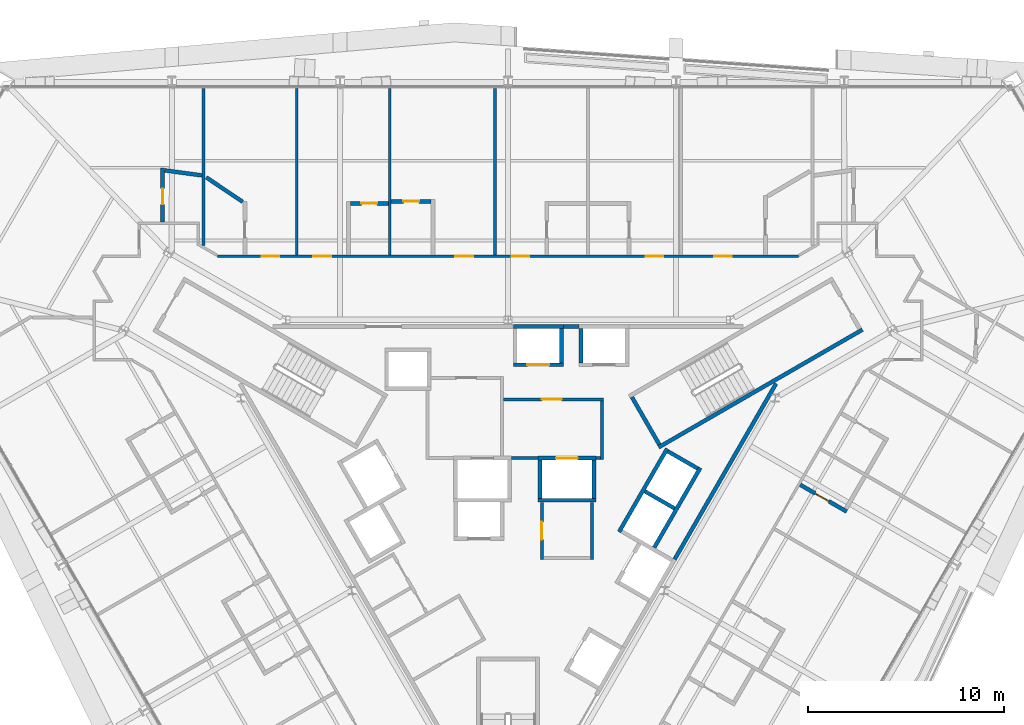
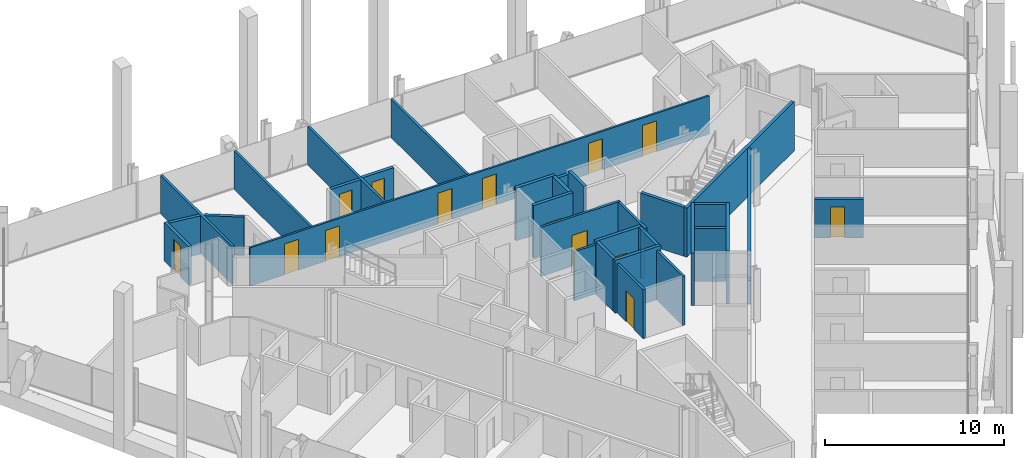
# One storey, part 16 of 21: 33 walls, 14 doors, 14 openings.
"""IFC4 building model written with IfcOpenShell, lengths in metres."""

from ifc_helpers import new_model, si_unit, direction, frame, frame_2d, origin, place, context, subcontext, project, spatial, rectangle, extrude, material, layer, layer_set, type_object, element, fill, save


model = new_model("IFC4")

# Units and contexts
model_context = context("Model", 3, precision=1e-05, world=origin(), true_north=direction((0.0, 1.0)))
body_context = subcontext(model_context, "Body", "Model", "MODEL_VIEW")
ifc_project = project(units=[si_unit("LENGTHUNIT", "METRE"), si_unit("AREAUNIT", "SQUARE_METRE"), si_unit("VOLUMEUNIT", "CUBIC_METRE"), si_unit("PLANEANGLEUNIT", "RADIAN"), si_unit("MASSUNIT", "GRAM", prefix="KILO")], contexts=[model_context])

# Site, building, storey
site_placement = place(None, origin())
site = spatial("IfcSite", under=ifc_project, at=site_placement, CompositionType="ELEMENT")
building_placement = place(site_placement, origin())
building = spatial("IfcBuilding", under=site, at=building_placement, Name="Verrane Prism Tower", CompositionType="ELEMENT")
storey_placement = place(building_placement, frame((0.0, 0.0, 65.60009765625)))
storey = spatial("IfcBuildingStorey", under=building, at=storey_placement, Name="L14", CompositionType="ELEMENT", Elevation=65.60009765625)

# Walls
ifc_material_1 = material(Name="Gypsum board partition", Category="other")
ifc_layer_1 = layer(ifc_material_1, 0.199951171875)
ifc_layer_set_1 = layer_set([ifc_layer_1], Name="CW-200 core boundary wall 2 h")
wall_type_1 = type_object("IfcWallType", Name="CW-200 core boundary wall 2 h", PredefinedType="PARTITIONING", material=ifc_layer_set_1)
wall_1_placement = place(storey_placement, frame((2.81689453125, 8.860107421875, 0.0), z_axis=(0.0, 0.0, 1.0), x_axis=(1.0, 0.0, 0.0)))
element("IfcWall", 1, at=wall_1_placement, inside=storey, type_object=wall_type_1, Name="Core boundary wall CW3-004", PredefinedType="PARTITIONING", context=body_context, shape_type="SweptSolid", body=[
    extrude(rectangle(XDim=0.80615234375, YDim=0.199951171875, at=frame_2d((0.403076171875, 0.0))), origin(), (0.0, 0.0, 1.0), 3.349853515625),
])
wall_2_placement = place(storey_placement, frame((8.491943359375, -3.011962890625, 0.0), z_axis=(0.0, 0.0, 1.0), x_axis=(0.499972957231, 0.866041016371, 0.0)))
element("IfcWall", 2, at=wall_2_placement, inside=storey, type_object=wall_type_1, Name="Core boundary wall CW3-007", PredefinedType="PARTITIONING", context=body_context, shape_type="SweptSolid", body=[
    extrude(rectangle(XDim=10.3486328125, YDim=0.199951171875, at=frame_2d((5.17431640625, 0.0))), origin(), (0.0, 0.0, 1.0), 3.349853515625),
])
ifc_material_2 = material(Name="Concrete C40/50", Category="concrete")
ifc_layer_2 = layer(ifc_material_2, 0.199951171875)
ifc_layer_set_2 = layer_set([ifc_layer_2], Name="CW-200 stair core wall concrete C40/50 3 h")
wall_type_2 = type_object("IfcWallType", Name="CW-200 stair core wall concrete C40/50 3 h", PredefinedType="PARTITIONING", material=ifc_layer_set_2)
wall_3_placement = place(storey_placement, frame((7.67822265625, 2.700927734375, 0.0), z_axis=(0.0, 0.0, 1.0), x_axis=(0.866026010844, 0.49999894854, 0.0)))
element("IfcWall", 3, at=wall_3_placement, inside=storey, type_object=wall_type_2, Name="Stair 1 enclosure wall", PredefinedType="PARTITIONING", context=body_context, shape_type="SweptSolid", body=[
    extrude(rectangle(XDim=12.0, YDim=0.199951171875, at=frame_2d((6.0, 0.0))), origin(), (0.0, 0.0, 1.0), 3.349853515625),
])
wall_4_placement = place(storey_placement, frame((7.71484375, 2.837646484375, 0.0), z_axis=(0.0, 0.0, 1.0), x_axis=(-0.500049511043, 0.865996816683, 0.0)))
element("IfcWall", 4, at=wall_4_placement, inside=storey, type_object=wall_type_2, Name="Stair 1 enclosure wall", PredefinedType="PARTITIONING", context=body_context, shape_type="SweptSolid", body=[
    extrude(rectangle(XDim=2.800048828125, YDim=0.199951171875, at=frame_2d((1.39990234375, 0.0))), origin(), (0.0, 0.0, 1.0), 3.349853515625),
])
ifc_material_3 = material(Name="Gypsum board shaft wall assembly", Category="other")
ifc_layer_3 = layer(ifc_material_3, 0.199951171875)
ifc_layer_set_3 = layer_set([ifc_layer_3], Name="HW-200 lift shaft wall 2 h")
wall_type_3 = type_object("IfcWallType", Name="HW-200 lift shaft wall 2 h", PredefinedType="PARTITIONING", material=ifc_layer_set_3)
wall_5_placement = place(storey_placement, frame((1.52490234375, 0.0, 0.0), z_axis=(0.0, 0.0, 1.0), x_axis=(1.0, 0.0, 0.0)))
element("IfcWall", 5, at=wall_5_placement, inside=storey, type_object=wall_type_3, Name="Lift shaft wall", PredefinedType="PARTITIONING", context=body_context, shape_type="SweptSolid", body=[
    extrude(rectangle(XDim=2.9501953125, YDim=0.199951171875, at=frame_2d((1.47509765625, 0.0))), origin(), (0.0, 0.0, 1.0), 3.599853515625),
])

# Wall, opening, door
wall_6_placement = place(storey_placement, frame((1.52490234375, 2.14990234375, 0.0), z_axis=(0.0, 0.0, 1.0), x_axis=(1.0, 0.0, 0.0)))
wall_6 = element("IfcWall", 6, at=wall_6_placement, inside=storey, type_object=wall_type_3, Name="Lift shaft wall", PredefinedType="PARTITIONING", context=body_context, shape_type="SweptSolid", body=[
    extrude(rectangle(XDim=2.9501953125, YDim=0.199951171875, at=frame_2d((1.47509765625, 0.0))), origin(), (0.0, 0.0, 1.0), 3.599853515625),
])
opening_1_placement = place(wall_6_placement, frame((0.925048828125, 0.0, 0.0)))
opening_1 = element("IfcOpeningElement", 7, at=opening_1_placement, cuts=wall_6, Name="Opening D14509", PredefinedType="OPENING", context=body_context, shape_type="SweptSolid", body=[
    extrude(rectangle(XDim=1.10009765625, YDim=2.10009765625, at=frame_2d((0.550048828125, 1.050048828125))), frame((0.0, 0.10986328125, 0.0), z_axis=(0.0, -1.0, 0.0), x_axis=(1.0, 0.0, 0.0)), (0.0, 0.0, 1.0), 0.219970703125),
])
ifc_material_4 = material(Name="Stainless steel sliding landing door", Category="steel")
door_type_1 = type_object("IfcDoorType", Name="LD-1100x2100 lift landing door FD90 sliding", OperationType="NOTDEFINED", PredefinedType="DOOR", material=ifc_material_4)
door_1_placement = place(opening_1_placement, origin())
door_1 = element("IfcDoor", 8, at=door_1_placement, inside=storey, type_object=door_type_1, Name="Fire service lift 2 landing door", OperationType="SLIDING_TO_RIGHT", OverallHeight=2.10009765625, OverallWidth=1.10009765625, PredefinedType="DOOR", context=body_context, shape_type="SweptSolid", body=[
    extrude(rectangle(XDim=1.10009765625, YDim=2.10009765625, at=frame_2d((0.550048828125, 1.050048828125))), frame((0.0, 0.02490234375, 0.0), z_axis=(0.0, -1.0, 0.0), x_axis=(1.0, 0.0, 0.0)), (0.0, 0.0, 1.0), 0.050048828125),
])
fill(opening_1, door_1)

wall_7_placement = place(storey_placement, frame((0.264892578125, 6.909912109375, 0.0), z_axis=(0.0, 0.0, 1.0), x_axis=(1.0, 0.0, 0.0)))
wall_7 = element("IfcWall", 9, at=wall_7_placement, inside=storey, type_object=wall_type_3, Name="Lift shaft wall", PredefinedType="PARTITIONING", context=body_context, shape_type="SweptSolid", body=[
    extrude(rectangle(XDim=2.550048828125, YDim=0.199951171875, at=frame_2d((1.27490234375, 0.0))), origin(), (0.0, 0.0, 1.0), 3.599853515625),
])
opening_2_placement = place(wall_7_placement, frame((0.72509765625, 0.0, 0.0)))
opening_2 = element("IfcOpeningElement", 10, at=opening_2_placement, cuts=wall_7, Name="Opening D14503", PredefinedType="OPENING", context=body_context, shape_type="SweptSolid", body=[
    extrude(rectangle(XDim=1.10009765625, YDim=2.10009765625, at=frame_2d((0.550048828125, 1.050048828125))), frame((0.0, 0.10986328125, 0.0), z_axis=(0.0, -1.0, 0.0), x_axis=(1.0, 0.0, 0.0)), (0.0, 0.0, 1.0), 0.219970703125),
])
door_2_placement = place(opening_2_placement, origin())
door_2 = element("IfcDoor", 11, at=door_2_placement, inside=storey, type_object=door_type_1, Name="Bank A lift 1 landing door", OperationType="SLIDING_TO_LEFT", OverallHeight=2.10009765625, OverallWidth=1.10009765625, PredefinedType="DOOR", context=body_context, shape_type="SweptSolid", body=[
    extrude(rectangle(XDim=1.10009765625, YDim=2.10009765625, at=frame_2d((0.550048828125, 1.050048828125))), frame((0.0, 0.02490234375, 0.0), z_axis=(0.0, -1.0, 0.0), x_axis=(1.0, 0.0, 0.0)), (0.0, 0.0, 1.0), 0.050048828125),
])
fill(opening_2, door_2)

# Walls
wall_8_placement = place(storey_placement, frame((0.264892578125, 8.860107421875, 0.0), z_axis=(0.0, 0.0, 1.0), x_axis=(1.0, 0.0, 0.0)))
element("IfcWall", 12, at=wall_8_placement, inside=storey, type_object=wall_type_3, Name="Lift shaft wall", PredefinedType="PARTITIONING", context=body_context, shape_type="SweptSolid", body=[
    extrude(rectangle(XDim=2.550048828125, YDim=0.199951171875, at=frame_2d((1.27490234375, 0.0))), origin(), (0.0, 0.0, 1.0), 3.599853515625),
])
wall_9_placement = place(storey_placement, frame((7.451171875, -2.4140625, 0.0), z_axis=(0.0, 0.0, 1.0), x_axis=(0.500016218704, 0.866016039709, 0.0)))
element("IfcWall", 13, at=wall_9_placement, inside=storey, type_object=wall_type_3, Name="Lift shaft wall", PredefinedType="PARTITIONING", context=body_context, shape_type="SweptSolid", body=[
    extrude(rectangle(XDim=4.699951171875, YDim=0.199951171875, at=frame_2d((2.35009765625, 0.0))), origin(), (0.0, 0.0, 1.0), 3.599853515625),
])
wall_10_placement = place(storey_placement, frame((5.66259765625, -1.6123046875, 0.0), z_axis=(0.0, 0.0, 1.0), x_axis=(0.49998122708, 0.866036242063, 0.0)))
element("IfcWall", 14, at=wall_10_placement, inside=storey, type_object=wall_type_3, Name="Lift shaft wall", PredefinedType="PARTITIONING", context=body_context, shape_type="SweptSolid", body=[
    extrude(rectangle(XDim=4.900146484375, YDim=0.199951171875, at=frame_2d((2.4501953125, 0.0))), origin(), (0.0, 0.0, 1.0), 3.599853515625),
])
wall_11_placement = place(storey_placement, frame((4.375, 0.10009765625, 0.0), z_axis=(0.0, 0.0, 1.0), x_axis=(0.0, 1.0, 0.0)))
element("IfcWall", 15, at=wall_11_placement, inside=storey, type_object=wall_type_3, Name="Lift shaft wall", PredefinedType="PARTITIONING", context=body_context, shape_type="SweptSolid", body=[
    extrude(rectangle(XDim=1.949951171875, YDim=0.199951171875, at=frame_2d((0.97509765625, 0.0))), origin(), (0.0, 0.0, 1.0), 3.599853515625),
])
for number, where, z_axis, x_axis, name in (
    (16, (3.72509765625, 7.010009765625, 0.0), (0.0, 0.0, 1.0), (0.0, 1.0, 0.0), "Lift shaft wall"),
    (17, (2.715087890625, 7.010009765625, 0.0), (0.0, 0.0, 1.0), (0.0, 1.0, 0.0), "Lift shaft wall"),
):
    element("IfcWall", number, at=place(storey_placement, frame(where, z_axis=z_axis, x_axis=x_axis)), inside=storey, type_object=wall_type_3, Name=name, PredefinedType="PARTITIONING", context=body_context, shape_type="SweptSolid", body=[
        extrude(rectangle(XDim=1.75, YDim=0.199951171875, at=frame_2d((0.875, 0.0))), origin(), (0.0, 0.0, 1.0), 3.599853515625),
    ])
wall_12_placement = place(storey_placement, frame((1.625, 0.10009765625, 0.0), z_axis=(0.0, 0.0, 1.0), x_axis=(0.0, 1.0, 0.0)))
element("IfcWall", 18, at=wall_12_placement, inside=storey, type_object=wall_type_3, Name="Lift shaft wall", PredefinedType="PARTITIONING", context=body_context, shape_type="SweptSolid", body=[
    extrude(rectangle(XDim=1.949951171875, YDim=0.199951171875, at=frame_2d((0.97509765625, 0.0))), origin(), (0.0, 0.0, 1.0), 3.599853515625),
])
wall_13_placement = place(storey_placement, frame((9.66455078125, 1.61962890625, 0.0), z_axis=(0.0, 0.0, 1.0), x_axis=(-0.866002029911, 0.500040482552, 0.0)))
element("IfcWall", 19, at=wall_13_placement, inside=storey, type_object=wall_type_3, Name="Lift shaft wall", PredefinedType="PARTITIONING", context=body_context, shape_type="SweptSolid", body=[
    extrude(rectangle(XDim=1.749755859375, YDim=0.199951171875, at=frame_2d((0.875, 0.0))), origin(), (0.0, 0.0, 1.0), 3.599853515625),
])
wall_14_placement = place(storey_placement, frame((8.48974609375, -0.41552734375, 0.0), z_axis=(0.0, 0.0, 1.0), x_axis=(-0.866036909293, 0.499980071345, 0.0)))
element("IfcWall", 20, at=wall_14_placement, inside=storey, type_object=wall_type_3, Name="Lift shaft wall", PredefinedType="PARTITIONING", context=body_context, shape_type="SweptSolid", body=[
    extrude(rectangle(XDim=1.75, YDim=0.199951171875, at=frame_2d((0.875, 0.0))), origin(), (0.0, 0.0, 1.0), 3.599853515625),
])

# Wall, opening, door
ifc_material_5 = material(Name="Gypsum board partition", Category="other")
ifc_layer_4 = layer(ifc_material_5, 0.14990234375)
ifc_layer_set_4 = layer_set([ifc_layer_4], Name="LF-150 firefighting lobby wall 1 h")
wall_type_4 = type_object("IfcWallType", Name="LF-150 firefighting lobby wall 1 h", PredefinedType="PARTITIONING", material=ifc_layer_set_4)
wall_15_placement = place(storey_placement, frame((-0.2451171875, 5.139892578125, 0.0), z_axis=(0.0, 0.0, 1.0), x_axis=(1.0, 0.0, 0.0)))
wall_15 = element("IfcWall", 21, at=wall_15_placement, inside=storey, type_object=wall_type_4, Name="Firefighting lobby wall LF1-005", PredefinedType="PARTITIONING", context=body_context, shape_type="SweptSolid", body=[
    extrude(rectangle(XDim=5.110107421875, YDim=0.14990234375, at=frame_2d((2.55517578125, 0.0))), origin(), (0.0, 0.0, 1.0), 3.349853515625),
])
opening_3_placement = place(wall_15_placement, frame((1.97509765625, 0.0, 0.0)))
opening_3 = element("IfcOpeningElement", 22, at=opening_3_placement, cuts=wall_15, Name="Opening D14516", PredefinedType="OPENING", context=body_context, shape_type="SweptSolid", body=[
    extrude(rectangle(XDim=1.0, YDim=2.10009765625, at=frame_2d((0.5, 1.050048828125))), frame((0.0, 0.0849609375, 0.0), z_axis=(0.0, -1.0, 0.0), x_axis=(1.0, 0.0, 0.0)), (0.0, 0.0, 1.0), 0.169921875),
])
ifc_material_6 = material(Name="Timber veneered door leaf", Category="wood")
door_type_2 = type_object("IfcDoorType", Name="DR-1000x2100 FD60 single leaf firefighting lobby", OperationType="NOTDEFINED", PredefinedType="DOOR", material=ifc_material_6)
door_3_placement = place(opening_3_placement, origin())
door_3 = element("IfcDoor", 23, at=door_3_placement, inside=storey, type_object=door_type_2, Name="Firefighting lobby door D14516", OperationType="SINGLE_SWING_RIGHT", OverallHeight=2.10009765625, OverallWidth=1.0, PredefinedType="DOOR", context=body_context, shape_type="SweptSolid", body=[
    extrude(rectangle(XDim=1.0, YDim=2.10009765625, at=frame_2d((0.5, 1.050048828125))), frame((0.0, 0.02490234375, 0.0), z_axis=(0.0, -1.0, 0.0), x_axis=(1.0, 0.0, 0.0)), (0.0, 0.0, 1.0), 0.050048828125),
])
fill(opening_3, door_3)

# Walls
wall_16_placement = place(storey_placement, frame((0.1669921875, 2.159912109375, 0.0), z_axis=(0.0, 0.0, 1.0), x_axis=(1.0, 0.0, 0.0)))
element("IfcWall", 24, at=wall_16_placement, inside=storey, type_object=wall_type_4, Name="Firefighting lobby wall LF1-006", PredefinedType="PARTITIONING", context=body_context, shape_type="SweptSolid", body=[
    extrude(rectangle(XDim=1.35595703125, YDim=0.14990234375, at=frame_2d((0.677978515625, 0.0))), origin(), (0.0, 0.0, 1.0), 3.349853515625),
])
wall_17_placement = place(storey_placement, frame((4.47705078125, 2.159912109375, 0.0), z_axis=(0.0, 0.0, 1.0), x_axis=(1.0, 0.0, 0.0)))
element("IfcWall", 25, at=wall_17_placement, inside=storey, type_object=wall_type_4, Name="Firefighting lobby wall LF1-007", PredefinedType="PARTITIONING", context=body_context, shape_type="SweptSolid", body=[
    extrude(rectangle(XDim=0.238037109375, YDim=0.14990234375, at=frame_2d((0.119140625, 0.0))), origin(), (0.0, 0.0, 1.0), 3.349853515625),
])
wall_18_placement = place(storey_placement, frame((4.7900390625, 2.0849609375, 0.0), z_axis=(0.0, 0.0, 1.0), x_axis=(0.0, 1.0, 0.0)))
element("IfcWall", 26, at=wall_18_placement, inside=storey, type_object=wall_type_4, Name="Firefighting lobby wall LF1-008", PredefinedType="PARTITIONING", context=body_context, shape_type="SweptSolid", body=[
    extrude(rectangle(XDim=2.97998046875, YDim=0.14990234375, at=frame_2d((1.489990234375, 0.0))), origin(), (0.0, 0.0, 1.0), 3.349853515625),
])

# Wall, openings, doors
ifc_material_7 = material(Name="Gypsum board partition", Category="other")
ifc_layer_5 = layer(ifc_material_7, 0.125)
ifc_layer_set_5 = layer_set([ifc_layer_5], Name="PW-125 corridor wall 1 h")
wall_type_5 = type_object("IfcWallType", Name="PW-125 corridor wall 1 h", PredefinedType="PARTITIONING", material=ifc_layer_set_5)
wall_19_placement = place(storey_placement, frame((-14.810546875, 12.44091796875, 0.0), z_axis=(0.0, 0.0, 1.0), x_axis=(1.0, 0.0, 0.0)))
wall_19 = element("IfcWall", 27, at=wall_19_placement, inside=storey, type_object=wall_type_5, Name="Corridor wall 027", PredefinedType="PARTITIONING", context=body_context, shape_type="SweptSolid", body=[
    extrude(rectangle(XDim=29.62109375, YDim=0.125, at=frame_2d((14.810546875, 0.0))), origin(), (0.0, 0.0, 1.0), 2.61279296875),
])
opening_4_placement = place(wall_19_placement, frame((25.326416015625, 0.0, 0.0)))
opening_4 = element("IfcOpeningElement", 28, at=opening_4_placement, cuts=wall_19, Name="Opening D14018", PredefinedType="OPENING", context=body_context, shape_type="SweptSolid", body=[
    extrude(rectangle(XDim=0.89990234375, YDim=2.10009765625, at=frame_2d((0.449951171875, 1.050048828125))), frame((0.0, 0.072509765625, 0.0), z_axis=(0.0, -1.0, 0.0), x_axis=(1.0, 0.0, 0.0)), (0.0, 0.0, 1.0), 0.14501953125),
])
opening_5_placement = place(wall_19_placement, frame((21.83349609375, 0.0, 0.0)))
opening_5 = element("IfcOpeningElement", 29, at=opening_5_placement, cuts=wall_19, Name="Opening D14020", PredefinedType="OPENING", context=body_context, shape_type="SweptSolid", body=[
    extrude(rectangle(XDim=0.89990234375, YDim=2.10009765625, at=frame_2d((0.449951171875, 1.050048828125))), frame((0.0, 0.072509765625, 0.0), z_axis=(0.0, -1.0, 0.0), x_axis=(1.0, 0.0, 0.0)), (0.0, 0.0, 1.0), 0.14501953125),
])
opening_6_placement = place(wall_19_placement, frame((14.990478515625, 0.0, 0.0)))
opening_6 = element("IfcOpeningElement", 30, at=opening_6_placement, cuts=wall_19, Name="Opening D14022", PredefinedType="OPENING", context=body_context, shape_type="SweptSolid", body=[
    extrude(rectangle(XDim=0.89990234375, YDim=2.10009765625, at=frame_2d((0.449951171875, 1.050048828125))), frame((0.0, 0.072509765625, 0.0), z_axis=(0.0, -1.0, 0.0), x_axis=(1.0, 0.0, 0.0)), (0.0, 0.0, 1.0), 0.14501953125),
])
opening_7_placement = place(wall_19_placement, frame((12.12841796875, 0.0, 0.0)))
opening_7 = element("IfcOpeningElement", 31, at=opening_7_placement, cuts=wall_19, Name="Opening D14024", PredefinedType="OPENING", context=body_context, shape_type="SweptSolid", body=[
    extrude(rectangle(XDim=0.89990234375, YDim=2.10009765625, at=frame_2d((0.449951171875, 1.050048828125))), frame((0.0, 0.072509765625, 0.0), z_axis=(0.0, -1.0, 0.0), x_axis=(1.0, 0.0, 0.0)), (0.0, 0.0, 1.0), 0.14501953125),
])
opening_8_placement = place(wall_19_placement, frame((4.885498046875, 0.0, 0.0)))
opening_8 = element("IfcOpeningElement", 32, at=opening_8_placement, cuts=wall_19, Name="Opening D14026", PredefinedType="OPENING", context=body_context, shape_type="SweptSolid", body=[
    extrude(rectangle(XDim=0.89990234375, YDim=2.10009765625, at=frame_2d((0.449951171875, 1.050048828125))), frame((0.0, 0.072509765625, 0.0), z_axis=(0.0, -1.0, 0.0), x_axis=(1.0, 0.0, 0.0)), (0.0, 0.0, 1.0), 0.14501953125),
])
opening_9_placement = place(wall_19_placement, frame((2.241455078125, 0.0, 0.0)))
opening_9 = element("IfcOpeningElement", 33, at=opening_9_placement, cuts=wall_19, Name="Opening D14028", PredefinedType="OPENING", context=body_context, shape_type="SweptSolid", body=[
    extrude(rectangle(XDim=0.89990234375, YDim=2.10009765625, at=frame_2d((0.449951171875, 1.050048828125))), frame((0.0, 0.072509765625, 0.0), z_axis=(0.0, -1.0, 0.0), x_axis=(1.0, 0.0, 0.0)), (0.0, 0.0, 1.0), 0.14501953125),
])
ifc_material_8 = material(Name="Timber veneered door leaf", Category="wood")
door_type_3 = type_object("IfcDoorType", Name="DR-900x2100 FD20 single leaf unit", OperationType="NOTDEFINED", PredefinedType="DOOR", material=ifc_material_8)
door_4_placement = place(opening_4_placement, origin())
door_4 = element("IfcDoor", 34, at=door_4_placement, inside=storey, type_object=door_type_3, Name="Junior Suite door", OperationType="SINGLE_SWING_RIGHT", OverallHeight=2.10009765625, OverallWidth=0.89990234375, PredefinedType="DOOR", context=body_context, shape_type="SweptSolid", body=[
    extrude(rectangle(XDim=0.89990234375, YDim=2.10009765625, at=frame_2d((0.449951171875, 1.050048828125))), frame((0.0, 0.02490234375, 0.0), z_axis=(0.0, -1.0, 0.0), x_axis=(1.0, 0.0, 0.0)), (0.0, 0.0, 1.0), 0.050048828125),
])
fill(opening_4, door_4)
door_5_placement = place(opening_5_placement, origin())
door_5 = element("IfcDoor", 35, at=door_5_placement, inside=storey, type_object=door_type_3, Name="Guest Room door", OperationType="SINGLE_SWING_RIGHT", OverallHeight=2.10009765625, OverallWidth=0.89990234375, PredefinedType="DOOR", context=body_context, shape_type="SweptSolid", body=[
    extrude(rectangle(XDim=0.89990234375, YDim=2.10009765625, at=frame_2d((0.449951171875, 1.050048828125))), frame((0.0, 0.02490234375, 0.0), z_axis=(0.0, -1.0, 0.0), x_axis=(1.0, 0.0, 0.0)), (0.0, 0.0, 1.0), 0.050048828125),
])
fill(opening_5, door_5)
door_6_placement = place(opening_6_placement, origin())
door_6 = element("IfcDoor", 36, at=door_6_placement, inside=storey, type_object=door_type_3, Name="Guest Room door", OperationType="SINGLE_SWING_RIGHT", OverallHeight=2.10009765625, OverallWidth=0.89990234375, PredefinedType="DOOR", context=body_context, shape_type="SweptSolid", body=[
    extrude(rectangle(XDim=0.89990234375, YDim=2.10009765625, at=frame_2d((0.449951171875, 1.050048828125))), frame((0.0, 0.02490234375, 0.0), z_axis=(0.0, -1.0, 0.0), x_axis=(1.0, 0.0, 0.0)), (0.0, 0.0, 1.0), 0.050048828125),
])
fill(opening_6, door_6)
door_7_placement = place(opening_7_placement, origin())
door_7 = element("IfcDoor", 37, at=door_7_placement, inside=storey, type_object=door_type_3, Name="Guest Room door", OperationType="SINGLE_SWING_RIGHT", OverallHeight=2.10009765625, OverallWidth=0.89990234375, PredefinedType="DOOR", context=body_context, shape_type="SweptSolid", body=[
    extrude(rectangle(XDim=0.89990234375, YDim=2.10009765625, at=frame_2d((0.449951171875, 1.050048828125))), frame((0.0, 0.02490234375, 0.0), z_axis=(0.0, -1.0, 0.0), x_axis=(1.0, 0.0, 0.0)), (0.0, 0.0, 1.0), 0.050048828125),
])
fill(opening_7, door_7)
door_8_placement = place(opening_8_placement, origin())
door_8 = element("IfcDoor", 38, at=door_8_placement, inside=storey, type_object=door_type_3, Name="Guest Room door", OperationType="SINGLE_SWING_RIGHT", OverallHeight=2.10009765625, OverallWidth=0.89990234375, PredefinedType="DOOR", context=body_context, shape_type="SweptSolid", body=[
    extrude(rectangle(XDim=0.89990234375, YDim=2.10009765625, at=frame_2d((0.449951171875, 1.050048828125))), frame((0.0, 0.02490234375, 0.0), z_axis=(0.0, -1.0, 0.0), x_axis=(1.0, 0.0, 0.0)), (0.0, 0.0, 1.0), 0.050048828125),
])
fill(opening_8, door_8)
door_9_placement = place(opening_9_placement, origin())
door_9 = element("IfcDoor", 39, at=door_9_placement, inside=storey, type_object=door_type_3, Name="Guest Room door", OperationType="SINGLE_SWING_RIGHT", OverallHeight=2.10009765625, OverallWidth=0.89990234375, PredefinedType="DOOR", context=body_context, shape_type="SweptSolid", body=[
    extrude(rectangle(XDim=0.89990234375, YDim=2.10009765625, at=frame_2d((0.449951171875, 1.050048828125))), frame((0.0, 0.02490234375, 0.0), z_axis=(0.0, -1.0, 0.0), x_axis=(1.0, 0.0, 0.0)), (0.0, 0.0, 1.0), 0.050048828125),
])
fill(opening_9, door_9)

# Walls
ifc_material_9 = material(Name="Gypsum board partition", Category="other")
ifc_layer_6 = layer(ifc_material_9, 0.14990234375)
ifc_layer_set_6 = layer_set([ifc_layer_6], Name="PW-150 demising wall 1 h")
wall_type_6 = type_object("IfcWallType", Name="PW-150 demising wall 1 h", PredefinedType="PARTITIONING", material=ifc_layer_set_6)
wall_20_placement = place(storey_placement, frame((-15.51904296875, 13.00146484375, 0.0), z_axis=(0.0, 0.0, 1.0), x_axis=(0.0, 1.0, 0.0)))
element("IfcWall", 40, at=wall_20_placement, inside=storey, type_object=wall_type_6, Name="Demising wall 025", PredefinedType="PARTITIONING", context=body_context, shape_type="SweptSolid", body=[
    extrude(rectangle(XDim=7.99365234375, YDim=0.14990234375, at=frame_2d((3.996826171875, 0.0))), origin(), (0.0, 0.0, 1.0), 2.61279296875),
])
for number, where, z_axis, x_axis, name in (
    (41, (-10.77490234375, 12.50341796875, 0.0), (0.0, 0.0, 1.0), (0.0, 1.0, 0.0), "Demising wall 034"),
    (42, (-6.031982421875, 12.50341796875, 0.0), (0.0, 0.0, 1.0), (0.0, 1.0, 0.0), "Demising wall 042"),
    (43, (-0.669921875, 12.50341796875, 0.0), (0.0, 0.0, 1.0), (0.0, 1.0, 0.0), "Demising wall 048"),
):
    element("IfcWall", number, at=place(storey_placement, frame(where, z_axis=z_axis, x_axis=x_axis)), inside=storey, type_object=wall_type_6, Name=name, PredefinedType="PARTITIONING", context=body_context, shape_type="SweptSolid", body=[
        extrude(rectangle(XDim=8.49169921875, YDim=0.14990234375, at=frame_2d((4.245849609375, 0.0))), origin(), (0.0, 0.0, 1.0), 2.61279296875),
    ])

# Wall, opening, door
ifc_material_10 = material(Name="Gypsum board partition", Category="other")
ifc_layer_7 = layer(ifc_material_10, 0.199951171875)
ifc_layer_set_7 = layer_set([ifc_layer_7], Name="PW-200 plumbing wall")
wall_type_7 = type_object("IfcWallType", Name="PW-200 plumbing wall", PredefinedType="PARTITIONING", material=ifc_layer_set_7)
wall_21_placement = place(storey_placement, frame((-17.618896484375, 16.93701171875, 0.0), z_axis=(0.0, 0.0, 1.0), x_axis=(0.0, -1.0, 0.0)))
wall_21 = element("IfcWall", 44, at=wall_21_placement, inside=storey, type_object=wall_type_7, Name="Plumbing wall 019", PredefinedType="PARTITIONING", context=body_context, shape_type="SweptSolid", body=[
    extrude(rectangle(XDim=2.737548828125, YDim=0.199951171875, at=frame_2d((1.36865234375, 0.0))), origin(), (0.0, 0.0, 1.0), 2.61279296875),
])
opening_10_placement = place(wall_21_placement, frame((1.050048828125, 0.0, 0.0)))
opening_10 = element("IfcOpeningElement", 45, at=opening_10_placement, cuts=wall_21, Name="Opening D14031", PredefinedType="OPENING", context=body_context, shape_type="SweptSolid", body=[
    extrude(rectangle(XDim=0.800048828125, YDim=2.10009765625, at=frame_2d((0.39990234375, 1.050048828125))), frame((0.0, 0.10986328125, 0.0), z_axis=(0.0, -1.0, 0.0), x_axis=(1.0, 0.0, 0.0)), (0.0, 0.0, 1.0), 0.219970703125),
])
ifc_material_11 = material(Name="Timber veneered door leaf", Category="wood")
door_type_4 = type_object("IfcDoorType", Name="DR-800x2100 single leaf bath", OperationType="NOTDEFINED", PredefinedType="DOOR", material=ifc_material_11)
door_10_placement = place(opening_10_placement, origin())
door_10 = element("IfcDoor", 46, at=door_10_placement, inside=storey, type_object=door_type_4, Name="En-Suite door", OperationType="SINGLE_SWING_RIGHT", OverallHeight=2.10009765625, OverallWidth=0.800048828125, PredefinedType="DOOR", context=body_context, shape_type="SweptSolid", body=[
    extrude(rectangle(XDim=0.800048828125, YDim=2.10009765625, at=frame_2d((0.39990234375, 1.050048828125))), frame((0.0, 0.02490234375, 0.0), z_axis=(0.0, -1.0, 0.0), x_axis=(1.0, 0.0, 0.0)), (0.0, 0.0, 1.0), 0.050048828125),
])
fill(opening_10, door_10)

# Walls
wall_22_placement = place(storey_placement, frame((-17.505126953125, 16.821533203125, 0.0), z_axis=(0.0, 0.0, 1.0), x_axis=(0.990982367401, -0.133992341199, 0.0)))
element("IfcWall", 47, at=wall_22_placement, inside=storey, type_object=wall_type_7, Name="Plumbing wall 020", PredefinedType="PARTITIONING", context=body_context, shape_type="SweptSolid", body=[
    extrude(rectangle(XDim=1.9150390625, YDim=0.199951171875, at=frame_2d((0.95751953125, 0.0))), origin(), (0.0, 0.0, 1.0), 2.61279296875),
])
wall_23_placement = place(storey_placement, frame((-15.38818359375, 16.465087890625, 0.0), z_axis=(0.0, 0.0, 1.0), x_axis=(0.82987399284, -0.557950854474, 0.0)))
element("IfcWall", 48, at=wall_23_placement, inside=storey, type_object=wall_type_7, Name="Plumbing wall 026", PredefinedType="PARTITIONING", context=body_context, shape_type="SweptSolid", body=[
    extrude(rectangle(XDim=2.23291015625, YDim=0.199951171875, at=frame_2d((1.116455078125, 0.0))), origin(), (0.0, 0.0, 1.0), 2.61279296875),
])

# Wall, opening, door
wall_24_placement = place(storey_placement, frame((-6.10693359375, 15.14111328125, 0.0), z_axis=(0.0, 0.0, 1.0), x_axis=(-1.0, 0.0, 0.0)))
wall_24 = element("IfcWall", 49, at=wall_24_placement, inside=storey, type_object=wall_type_7, Name="Plumbing wall 039", PredefinedType="PARTITIONING", context=body_context, shape_type="SweptSolid", body=[
    extrude(rectangle(XDim=1.925048828125, YDim=0.199951171875, at=frame_2d((0.96240234375, 0.0))), origin(), (0.0, 0.0, 1.0), 2.61279296875),
])
opening_11_placement = place(wall_24_placement, frame((0.574951171875, 0.0, 0.0)))
opening_11 = element("IfcOpeningElement", 50, at=opening_11_placement, cuts=wall_24, Name="Opening D14027", PredefinedType="OPENING", context=body_context, shape_type="SweptSolid", body=[
    extrude(rectangle(XDim=0.800048828125, YDim=2.10009765625, at=frame_2d((0.39990234375, 1.050048828125))), frame((0.0, 0.10986328125, 0.0), z_axis=(0.0, -1.0, 0.0), x_axis=(1.0, 0.0, 0.0)), (0.0, 0.0, 1.0), 0.219970703125),
])
door_11_placement = place(opening_11_placement, origin())
door_11 = element("IfcDoor", 51, at=door_11_placement, inside=storey, type_object=door_type_4, Name="En-Suite door", OperationType="SINGLE_SWING_RIGHT", OverallHeight=2.10009765625, OverallWidth=0.800048828125, PredefinedType="DOOR", context=body_context, shape_type="SweptSolid", body=[
    extrude(rectangle(XDim=0.800048828125, YDim=2.10009765625, at=frame_2d((0.39990234375, 1.050048828125))), frame((0.0, 0.02490234375, 0.0), z_axis=(0.0, -1.0, 0.0), x_axis=(1.0, 0.0, 0.0)), (0.0, 0.0, 1.0), 0.050048828125),
])
fill(opening_11, door_11)

wall_25_placement = place(storey_placement, frame((-3.931884765625, 15.240966796875, 0.0), z_axis=(0.0, 0.0, 1.0), x_axis=(-1.0, 0.0, 0.0)))
wall_25 = element("IfcWall", 52, at=wall_25_placement, inside=storey, type_object=wall_type_7, Name="Plumbing wall 043", PredefinedType="PARTITIONING", context=body_context, shape_type="SweptSolid", body=[
    extrude(rectangle(XDim=2.025146484375, YDim=0.199951171875, at=frame_2d((1.0126953125, 0.0))), origin(), (0.0, 0.0, 1.0), 2.61279296875),
])
opening_12_placement = place(wall_25_placement, frame((0.60009765625, 0.0, 0.0)))
opening_12 = element("IfcOpeningElement", 53, at=opening_12_placement, cuts=wall_25, Name="Opening D14025", PredefinedType="OPENING", context=body_context, shape_type="SweptSolid", body=[
    extrude(rectangle(XDim=0.800048828125, YDim=2.10009765625, at=frame_2d((0.39990234375, 1.050048828125))), frame((0.0, 0.10986328125, 0.0), z_axis=(0.0, -1.0, 0.0), x_axis=(1.0, 0.0, 0.0)), (0.0, 0.0, 1.0), 0.219970703125),
])
door_12_placement = place(opening_12_placement, origin())
door_12 = element("IfcDoor", 54, at=door_12_placement, inside=storey, type_object=door_type_4, Name="En-Suite door", OperationType="SINGLE_SWING_RIGHT", OverallHeight=2.10009765625, OverallWidth=0.800048828125, PredefinedType="DOOR", context=body_context, shape_type="SweptSolid", body=[
    extrude(rectangle(XDim=0.800048828125, YDim=2.10009765625, at=frame_2d((0.39990234375, 1.050048828125))), frame((0.0, 0.02490234375, 0.0), z_axis=(0.0, -1.0, 0.0), x_axis=(1.0, 0.0, 0.0)), (0.0, 0.0, 1.0), 0.050048828125),
])
fill(opening_12, door_12)

wall_26_placement = place(storey_placement, frame((14.8984375, 0.789306640625, 0.0), z_axis=(0.0, 0.0, 1.0), x_axis=(0.866102295869, -0.499866795347, 0.0)))
wall_26 = element("IfcWall", 55, at=wall_26_placement, inside=storey, type_object=wall_type_7, Name="Plumbing wall 076", PredefinedType="PARTITIONING", context=body_context, shape_type="SweptSolid", body=[
    extrude(rectangle(XDim=2.733154296875, YDim=0.199951171875, at=frame_2d((1.36669921875, 0.0))), origin(), (0.0, 0.0, 1.0), 2.61279296875),
])
opening_13_placement = place(wall_26_placement, frame((0.882568359375, 0.0, 0.0)))
opening_13 = element("IfcOpeningElement", 56, at=opening_13_placement, cuts=wall_26, Name="Opening D14011", PredefinedType="OPENING", context=body_context, shape_type="SweptSolid", body=[
    extrude(rectangle(XDim=0.800048828125, YDim=2.10009765625, at=frame_2d((0.39990234375, 1.050048828125))), frame((0.0, 0.10986328125, 0.0), z_axis=(0.0, -1.0, 0.0), x_axis=(1.0, 0.0, 0.0)), (0.0, 0.0, 1.0), 0.219970703125),
])
door_13_placement = place(opening_13_placement, origin())
door_13 = element("IfcDoor", 57, at=door_13_placement, inside=storey, type_object=door_type_4, Name="En-Suite door", OperationType="SINGLE_SWING_LEFT", OverallHeight=2.10009765625, OverallWidth=0.800048828125, PredefinedType="DOOR", context=body_context, shape_type="SweptSolid", body=[
    extrude(rectangle(XDim=0.800048828125, YDim=2.10009765625, at=frame_2d((0.39990234375, 1.050048828125))), frame((0.0, 0.02490234375, 0.0), z_axis=(0.0, -1.0, 0.0), x_axis=(1.0, 0.0, 0.0)), (0.0, 0.0, 1.0), 0.050048828125),
])
fill(opening_13, door_13)

ifc_material_12 = material(Name="Gypsum board partition", Category="other")
ifc_layer_8 = layer(ifc_material_12, 0.14990234375)
ifc_layer_set_8 = layer_set([ifc_layer_8], Name="RS-150 riser enclosure wall 1 h")
wall_type_8 = type_object("IfcWallType", Name="RS-150 riser enclosure wall 1 h", PredefinedType="PARTITIONING", material=ifc_layer_set_8)
wall_27_placement = place(storey_placement, frame((1.72509765625, -0.10205078125, 0.0), z_axis=(0.0, 0.0, 1.0), x_axis=(0.0, -1.0, 0.0)))
wall_27 = element("IfcWall", 58, at=wall_27_placement, inside=storey, type_object=wall_type_8, Name="Riser wall RS3-007", PredefinedType="PARTITIONING", context=body_context, shape_type="SweptSolid", body=[
    extrude(rectangle(XDim=2.9228515625, YDim=0.14990234375, at=frame_2d((1.46142578125, 0.0))), origin(), (0.0, 0.0, 1.0), 3.349853515625),
])
opening_14_placement = place(wall_27_placement, frame((0.998046875, 0.0, 0.0)))
opening_14 = element("IfcOpeningElement", 59, at=opening_14_placement, cuts=wall_27, Name="Opening D14518", PredefinedType="OPENING", context=body_context, shape_type="SweptSolid", body=[
    extrude(rectangle(XDim=0.89990234375, YDim=2.10009765625, at=frame_2d((0.449951171875, 1.050048828125))), frame((0.0, 0.0849609375, 0.0), z_axis=(0.0, -1.0, 0.0), x_axis=(1.0, 0.0, 0.0)), (0.0, 0.0, 1.0), 0.169921875),
])
ifc_material_13 = material(Name="Timber veneered door leaf", Category="wood")
door_type_5 = type_object("IfcDoorType", Name="DR-900x2100 FD20 single leaf store", OperationType="NOTDEFINED", PredefinedType="DOOR", material=ifc_material_13)
door_14_placement = place(opening_14_placement, origin())
door_14 = element("IfcDoor", 60, at=door_14_placement, inside=storey, type_object=door_type_5, Name="Room door D14518", OperationType="SINGLE_SWING_LEFT", OverallHeight=2.10009765625, OverallWidth=0.89990234375, PredefinedType="DOOR", context=body_context, shape_type="SweptSolid", body=[
    extrude(rectangle(XDim=0.89990234375, YDim=2.10009765625, at=frame_2d((0.449951171875, 1.050048828125))), frame((0.0, 0.02490234375, 0.0), z_axis=(0.0, -1.0, 0.0), x_axis=(1.0, 0.0, 0.0)), (0.0, 0.0, 1.0), 0.050048828125),
])
fill(opening_14, door_14)

# Wall
wall_28_placement = place(storey_placement, frame((4.27490234375, -3.02490234375, 0.0), z_axis=(0.0, 0.0, 1.0), x_axis=(0.0, 1.0, 0.0)))
element("IfcWall", 61, at=wall_28_placement, inside=storey, type_object=wall_type_8, Name="Riser wall RS3-009", PredefinedType="PARTITIONING", context=body_context, shape_type="SweptSolid", body=[
    extrude(rectangle(XDim=2.9228515625, YDim=0.14990234375, at=frame_2d((1.46142578125, 0.0))), origin(), (0.0, 0.0, 1.0), 3.349853515625),
])

save(model, "model.ifc")
